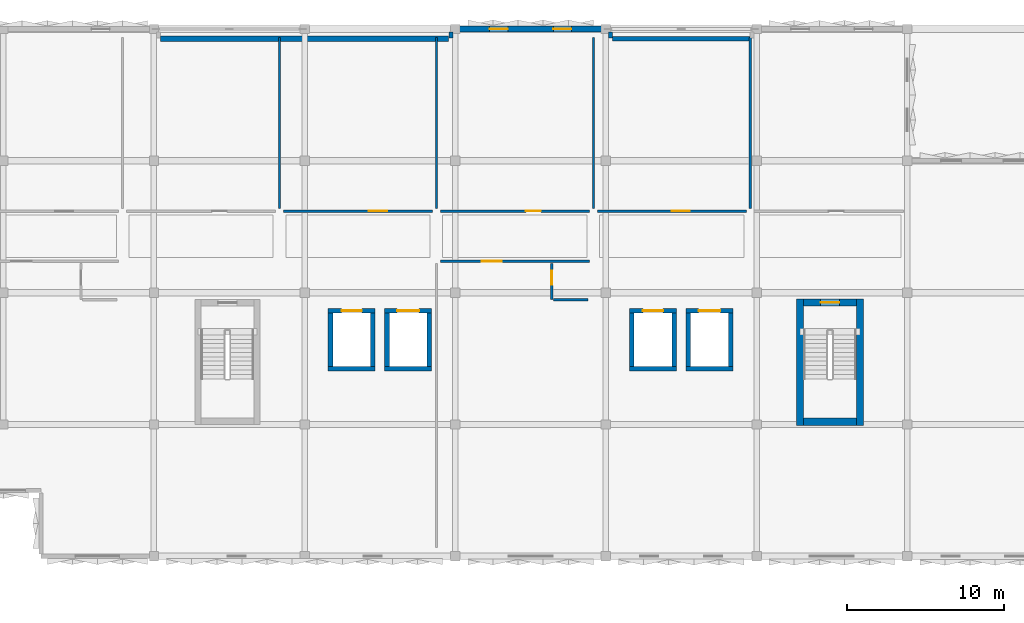
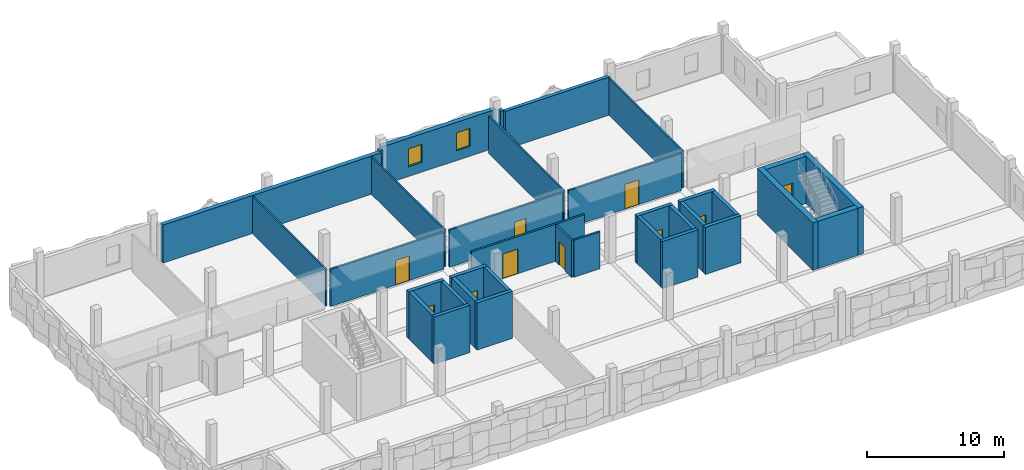
# One storey, part 10 of 18: 35 walls, 10 doors, 2 windows, 12 openings.
"""IFC4 building model written with IfcOpenShell, lengths in metres."""

from ifc_helpers import new_model, si_unit, direction, frame, frame_2d, origin, place, context, subcontext, project, spatial, rectangle, extrude, material, layer, layer_set, type_object, element, fill, save


model = new_model("IFC4")

# Units and contexts
model_context = context("Model", 3, precision=1e-05, world=origin(), true_north=direction((0.0, 1.0)))
body_context = subcontext(model_context, "Body", "Model", "MODEL_VIEW")
ifc_project = project(units=[si_unit("LENGTHUNIT", "METRE"), si_unit("AREAUNIT", "SQUARE_METRE"), si_unit("VOLUMEUNIT", "CUBIC_METRE"), si_unit("PLANEANGLEUNIT", "RADIAN"), si_unit("MASSUNIT", "GRAM", prefix="KILO")], contexts=[model_context])

# Site, building, storey
site_placement = place(None, origin())
site = spatial("IfcSite", under=ifc_project, at=site_placement, CompositionType="ELEMENT")
building_placement = place(site_placement, origin())
building = spatial("IfcBuilding", under=site, at=building_placement, Name="Oolite Switchyard Hospital", CompositionType="ELEMENT")
storey_placement = place(building_placement, frame((0.0, 0.0, 26.199951171875)))
storey = spatial("IfcBuildingStorey", under=building, at=storey_placement, Name="L06", CompositionType="ELEMENT", Elevation=26.199951171875)

# Walls
ifc_material_1 = material(Name="Precast oolitic limestone architectural concrete C40/50", Category="masonry")
ifc_layer_1 = layer(ifc_material_1, 0.260009765625)
ifc_layer_set_1 = layer_set([ifc_layer_1], Name="WAL-EXT-260")
wall_type_1 = type_object("IfcWallType", Name="WAL-EXT-260", PredefinedType="SOLIDWALL", material=ifc_layer_set_1)
for number, where, z_axis, x_axis, name in (
    (1, (172.52001953125, 134.199951171875, 0.0), (0.0, 0.0, 1.0), (0.0, -1.0, 0.0), "L06 Brace Alcove Cheek Wall 362"),
    (2, (182.679931640625, 134.199951171875, 0.0), (0.0, 0.0, 1.0), (0.0, -1.0, 0.0), "L06 Brace Alcove Cheek Wall 365"),
):
    element("IfcWall", number, at=place(storey_placement, frame(where, z_axis=z_axis, x_axis=x_axis)), inside=storey, type_object=wall_type_1, Name=name, PredefinedType="SOLIDWALL", context=body_context, shape_type="SweptSolid", body=[
        extrude(rectangle(XDim=0.35986328125, YDim=0.260009765625, at=frame_2d((0.179931640625, 0.0))), origin(), (0.0, 0.0, 1.0), 3.39013671875),
    ])
ifc_layer_2 = layer(ifc_material_1, 0.300048828125)
ifc_layer_set_2 = layer_set([ifc_layer_2], Name="WAL-EXT-300")
wall_type_2 = type_object("IfcWallType", Name="WAL-EXT-300", PredefinedType="SOLIDWALL", material=ifc_layer_set_2)
wall_1_placement = place(storey_placement, frame((182.820068359375, 133.780029296875, 0.0), z_axis=(0.0, 0.0, 1.0), x_axis=(1.0, 0.0, 0.0)))
element("IfcWall", 3, at=wall_1_placement, inside=storey, type_object=wall_type_2, Name="L06 Exterior Spandrel Wall 367", PredefinedType="SOLIDWALL", context=body_context, shape_type="SweptSolid", body=[
    extrude(rectangle(XDim=8.760009765625, YDim=0.300048828125, at=frame_2d((4.3798828125, 0.0))), origin(), (0.0, 0.0, 1.0), 3.39013671875),
])
ifc_layer_3 = layer(ifc_material_1, 0.360107421875)
ifc_layer_set_3 = layer_set([ifc_layer_3], Name="WAL-EXT-360")
wall_type_3 = type_object("IfcWallType", Name="WAL-EXT-360", PredefinedType="SOLIDWALL", material=ifc_layer_set_3)
wall_2_placement = place(storey_placement, frame((154.02001953125, 133.780029296875, 0.0), z_axis=(0.0, 0.0, 1.0), x_axis=(1.0, 0.0, 0.0)))
element("IfcWall", 4, at=wall_2_placement, inside=storey, type_object=wall_type_3, Name="L06 Exterior Spandrel Wall 363", PredefinedType="SOLIDWALL", context=body_context, shape_type="SweptSolid", body=[
    extrude(rectangle(XDim=18.35986328125, YDim=0.360107421875, at=frame_2d((9.179931640625, 0.0))), origin(), (0.0, 0.0, 1.0), 3.39013671875),
])

# Wall, openings, windows
ifc_layer_4 = layer(ifc_material_1, 0.3798828125)
ifc_layer_set_4 = layer_set([ifc_layer_4], Name="WAL-EXT-380")
wall_type_4 = type_object("IfcWallType", Name="WAL-EXT-380", PredefinedType="SOLIDWALL", material=ifc_layer_set_4)
wall_3_placement = place(storey_placement, frame((172.800048828125, 134.39990234375, 0.0), z_axis=(0.0, 0.0, 1.0), x_axis=(1.0, 0.0, 0.0)))
wall_3 = element("IfcWall", 5, at=wall_3_placement, inside=storey, type_object=wall_type_4, Name="L06 Exterior Spandrel Wall 364", PredefinedType="SOLIDWALL", context=body_context, shape_type="SweptSolid", body=[
    extrude(rectangle(XDim=9.599853515625, YDim=0.3798828125, at=frame_2d((4.7998046875, 0.0))), origin(), (0.0, 0.0, 1.0), 3.39013671875),
])
opening_1_placement = place(wall_3_placement, frame((2.197021484375, 0.0, 0.85009765625)))
opening_1 = element("IfcOpeningElement", 6, at=opening_1_placement, cuts=wall_3, Name="Opening WN-0236", PredefinedType="OPENING", context=body_context, shape_type="SweptSolid", body=[
    extrude(rectangle(XDim=1.14990234375, YDim=1.60009765625, at=frame_2d((0.574951171875, 0.800048828125))), frame((0.0, 0.199951171875, 0.0), z_axis=(0.0, -1.0, 0.0), x_axis=(1.0, 0.0, 0.0)), (0.0, 0.0, 1.0), 0.39990234375),
])
opening_2_placement = place(wall_3_placement, frame((6.2529296875, 0.0, 0.85009765625)))
opening_2 = element("IfcOpeningElement", 7, at=opening_2_placement, cuts=wall_3, Name="Opening WN-0237", PredefinedType="OPENING", context=body_context, shape_type="SweptSolid", body=[
    extrude(rectangle(XDim=1.14990234375, YDim=1.60009765625, at=frame_2d((0.574951171875, 0.800048828125))), frame((0.0, 0.199951171875, 0.0), z_axis=(0.0, -1.0, 0.0), x_axis=(1.0, 0.0, 0.0)), (0.0, 0.0, 1.0), 0.39990234375),
])
ifc_material_2 = material(Name="Thermally broken aluminum frame with laminated impact glazing", Category="aluminium")
window_type = type_object("IfcWindowType", Name="WIN-IMP-115X160", PartitioningType="SINGLE_PANEL", PredefinedType="WINDOW", material=ifc_material_2)
window_1_placement = place(opening_1_placement, origin())
window_1 = element("IfcWindow", 8, at=window_1_placement, inside=storey, type_object=window_type, Name="L06 Hurricane Impact Window WN-0236", OverallHeight=1.60009765625, OverallWidth=1.14990234375, PartitioningType="SINGLE_PANEL", PredefinedType="WINDOW", context=body_context, shape_type="SweptSolid", body=[
    extrude(rectangle(XDim=1.14990234375, YDim=1.60009765625, at=frame_2d((0.574951171875, 0.800048828125))), frame((0.0, 0.030029296875, 0.0), z_axis=(0.0, -1.0, 0.0), x_axis=(1.0, 0.0, 0.0)), (0.0, 0.0, 1.0), 0.06005859375),
])
fill(opening_1, window_1)
window_2_placement = place(opening_2_placement, origin())
window_2 = element("IfcWindow", 9, at=window_2_placement, inside=storey, type_object=window_type, Name="L06 Hurricane Impact Window WN-0237", OverallHeight=1.60009765625, OverallWidth=1.14990234375, PartitioningType="SINGLE_PANEL", PredefinedType="WINDOW", context=body_context, shape_type="SweptSolid", body=[
    extrude(rectangle(XDim=1.14990234375, YDim=1.60009765625, at=frame_2d((0.574951171875, 0.800048828125))), frame((0.0, 0.030029296875, 0.0), z_axis=(0.0, -1.0, 0.0), x_axis=(1.0, 0.0, 0.0)), (0.0, 0.0, 1.0), 0.06005859375),
])
fill(opening_2, window_2)

# Walls
ifc_material_3 = material(Name="Moisture-resistant gypsum board on steel studs", Category="steel")
ifc_layer_5 = layer(ifc_material_3, 0.135009765625)
ifc_layer_set_5 = layer_set([ifc_layer_5], Name="WAL-PART-135")
wall_type_5 = type_object("IfcWallType", Name="WAL-PART-135", PredefinedType="PARTITIONING", material=ifc_layer_set_5)
for number, where, z_axis, x_axis, name in (
    (10, (161.60009765625, 122.949951171875, 0.0), (0.0, 0.0, 1.0), (0.0, 1.0, 0.0), "L06 Interior Partition 882"),
    (11, (171.60009765625, 122.949951171875, 0.0), (0.0, 0.0, 1.0), (0.0, 1.0, 0.0), "L06 Interior Partition 888"),
    (12, (181.60009765625, 122.949951171875, 0.0), (0.0, 0.0, 1.0), (0.0, 1.0, 0.0), "L06 Interior Partition 890"),
    (13, (191.60009765625, 122.949951171875, 0.0), (0.0, 0.0, 1.0), (0.0, 1.0, 0.0), "L06 Interior Partition 892"),
):
    element("IfcWall", number, at=place(storey_placement, frame(where, z_axis=z_axis, x_axis=x_axis)), inside=storey, type_object=wall_type_5, Name=name, PredefinedType="PARTITIONING", context=body_context, shape_type="SweptSolid", body=[
        extrude(rectangle(XDim=10.900146484375, YDim=0.135009765625, at=frame_2d((5.4501953125, 0.0))), origin(), (0.0, 0.0, 1.0), 3.300048828125),
    ])

# Wall, opening, door
ifc_layer_6 = layer(ifc_material_3, 0.14990234375)
ifc_layer_set_6 = layer_set([ifc_layer_6], Name="WAL-PART-150")
wall_type_6 = type_object("IfcWallType", Name="WAL-PART-150", PredefinedType="PARTITIONING", material=ifc_layer_set_6)
wall_4_placement = place(storey_placement, frame((178.949951171875, 117.14990234375, 0.0), z_axis=(0.0, 0.0, 1.0), x_axis=(0.0, 1.0, 0.0)))
wall_4 = element("IfcWall", 14, at=wall_4_placement, inside=storey, type_object=wall_type_6, Name="L06 Interior Partition 884", PredefinedType="PARTITIONING", context=body_context, shape_type="SweptSolid", body=[
    extrude(rectangle(XDim=2.300048828125, YDim=0.14990234375, at=frame_2d((1.14990234375, 0.0))), origin(), (0.0, 0.0, 1.0), 3.300048828125),
])
opening_3_placement = place(wall_4_placement, frame((0.949951171875, 0.0, 0.0)))
opening_3 = element("IfcOpeningElement", 15, at=opening_3_placement, cuts=wall_4, Name="Opening D-0491", PredefinedType="OPENING", context=body_context, shape_type="SweptSolid", body=[
    extrude(rectangle(XDim=0.89990234375, YDim=2.10009765625, at=frame_2d((0.449951171875, 1.050048828125))), frame((0.0, 0.0849609375, 0.0), z_axis=(0.0, -1.0, 0.0), x_axis=(1.0, 0.0, 0.0)), (0.0, 0.0, 1.0), 0.169921875),
])
ifc_material_4 = material(Name="Solid-core antimicrobial hardwood leaf in steel frame", Category="steel")
door_type_1 = type_object("IfcDoorType", Name="DR-BATH-090X210", OperationType="NOTDEFINED", PredefinedType="DOOR", material=ifc_material_4)
door_1_placement = place(opening_3_placement, origin())
door_1 = element("IfcDoor", 16, at=door_1_placement, inside=storey, type_object=door_type_1, Name="L06 Interior Door D-0491", OperationType="SINGLE_SWING_LEFT", OverallHeight=2.10009765625, OverallWidth=0.89990234375, PredefinedType="DOOR", context=body_context, shape_type="SweptSolid", body=[
    extrude(rectangle(XDim=0.89990234375, YDim=2.10009765625, at=frame_2d((0.449951171875, 1.050048828125))), frame((0.0, 0.02490234375, 0.0), z_axis=(0.0, -1.0, 0.0), x_axis=(1.0, 0.0, 0.0)), (0.0, 0.0, 1.0), 0.050048828125),
])
fill(opening_3, door_1)

# Wall
wall_5_placement = place(storey_placement, frame((179.050048828125, 117.14990234375, 0.0), z_axis=(0.0, 0.0, 1.0), x_axis=(1.0, 0.0, 0.0)))
element("IfcWall", 17, at=wall_5_placement, inside=storey, type_object=wall_type_6, Name="L06 Interior Partition 885", PredefinedType="PARTITIONING", context=body_context, shape_type="SweptSolid", body=[
    extrude(rectangle(XDim=2.199951171875, YDim=0.14990234375, at=frame_2d((1.10009765625, 0.0))), origin(), (0.0, 0.0, 1.0), 3.300048828125),
])

# Wall, opening, door
ifc_layer_7 = layer(ifc_material_3, 0.1650390625)
ifc_layer_set_7 = layer_set([ifc_layer_7], Name="WAL-PART-165")
wall_type_7 = type_object("IfcWallType", Name="WAL-PART-165", PredefinedType="PARTITIONING", material=ifc_layer_set_7)
wall_6_placement = place(storey_placement, frame((161.85009765625, 122.800048828125, 0.0), z_axis=(0.0, 0.0, 1.0), x_axis=(1.0, 0.0, 0.0)))
wall_6 = element("IfcWall", 18, at=wall_6_placement, inside=storey, type_object=wall_type_7, Name="L06 Interior Partition 881", PredefinedType="PARTITIONING", context=body_context, shape_type="SweptSolid", body=[
    extrude(rectangle(XDim=9.5, YDim=0.1650390625, at=frame_2d((4.75, 0.0))), origin(), (0.0, 0.0, 1.0), 3.300048828125),
])
opening_4_placement = place(wall_6_placement, frame((5.449951171875, 0.0, 0.0)))
opening_4 = element("IfcOpeningElement", 19, at=opening_4_placement, cuts=wall_6, Name="Opening D-0489", PredefinedType="OPENING", context=body_context, shape_type="SweptSolid", body=[
    extrude(rectangle(XDim=1.14990234375, YDim=2.199951171875, at=frame_2d((0.574951171875, 1.10009765625))), frame((0.0, 0.092529296875, 0.0), z_axis=(0.0, -1.0, 0.0), x_axis=(1.0, 0.0, 0.0)), (0.0, 0.0, 1.0), 0.18505859375),
])
door_type_2 = type_object("IfcDoorType", Name="DR-CLIN-115X220", OperationType="NOTDEFINED", PredefinedType="DOOR", material=ifc_material_4)
door_2_placement = place(opening_4_placement, origin())
door_2 = element("IfcDoor", 20, at=door_2_placement, inside=storey, type_object=door_type_2, Name="L06 Interior Door D-0489", OperationType="SINGLE_SWING_RIGHT", OverallHeight=2.199951171875, OverallWidth=1.14990234375, PredefinedType="DOOR", context=body_context, shape_type="SweptSolid", body=[
    extrude(rectangle(XDim=1.14990234375, YDim=2.199951171875, at=frame_2d((0.574951171875, 1.10009765625))), frame((0.0, 0.02490234375, 0.0), z_axis=(0.0, -1.0, 0.0), x_axis=(1.0, 0.0, 0.0)), (0.0, 0.0, 1.0), 0.050048828125),
])
fill(opening_4, door_2)

wall_7_placement = place(storey_placement, frame((171.85009765625, 119.60009765625, 0.0), z_axis=(0.0, 0.0, 1.0), x_axis=(1.0, 0.0, 0.0)))
wall_7 = element("IfcWall", 21, at=wall_7_placement, inside=storey, type_object=wall_type_7, Name="L06 Interior Partition 883", PredefinedType="PARTITIONING", context=body_context, shape_type="SweptSolid", body=[
    extrude(rectangle(XDim=9.5, YDim=0.1650390625, at=frame_2d((4.75, 0.0))), origin(), (0.0, 0.0, 1.0), 3.300048828125),
])
opening_5_placement = place(wall_7_placement, frame((2.64990234375, 0.0, 0.0)))
opening_5 = element("IfcOpeningElement", 22, at=opening_5_placement, cuts=wall_7, Name="Opening D-0490", PredefinedType="OPENING", context=body_context, shape_type="SweptSolid", body=[
    extrude(rectangle(XDim=1.25, YDim=2.199951171875, at=frame_2d((0.625, 1.10009765625))), frame((0.0, 0.092529296875, 0.0), z_axis=(0.0, -1.0, 0.0), x_axis=(1.0, 0.0, 0.0)), (0.0, 0.0, 1.0), 0.18505859375),
])
door_type_3 = type_object("IfcDoorType", Name="DR-WARD-125X220", OperationType="NOTDEFINED", PredefinedType="DOOR", material=ifc_material_4)
door_3_placement = place(opening_5_placement, origin())
door_3 = element("IfcDoor", 23, at=door_3_placement, inside=storey, type_object=door_type_3, Name="L06 Interior Door D-0490", OperationType="SINGLE_SWING_RIGHT", OverallHeight=2.199951171875, OverallWidth=1.25, PredefinedType="DOOR", context=body_context, shape_type="SweptSolid", body=[
    extrude(rectangle(XDim=1.25, YDim=2.199951171875, at=frame_2d((0.625, 1.10009765625))), frame((0.0, 0.02490234375, 0.0), z_axis=(0.0, -1.0, 0.0), x_axis=(1.0, 0.0, 0.0)), (0.0, 0.0, 1.0), 0.050048828125),
])
fill(opening_5, door_3)

wall_8_placement = place(storey_placement, frame((171.85009765625, 122.800048828125, 0.0), z_axis=(0.0, 0.0, 1.0), x_axis=(1.0, 0.0, 0.0)))
wall_8 = element("IfcWall", 24, at=wall_8_placement, inside=storey, type_object=wall_type_7, Name="L06 Interior Partition 887", PredefinedType="PARTITIONING", context=body_context, shape_type="SweptSolid", body=[
    extrude(rectangle(XDim=9.5, YDim=0.1650390625, at=frame_2d((4.75, 0.0))), origin(), (0.0, 0.0, 1.0), 3.300048828125),
])
opening_6_placement = place(wall_8_placement, frame((5.449951171875, 0.0, 0.0)))
opening_6 = element("IfcOpeningElement", 25, at=opening_6_placement, cuts=wall_8, Name="Opening D-0492", PredefinedType="OPENING", context=body_context, shape_type="SweptSolid", body=[
    extrude(rectangle(XDim=0.949951171875, YDim=2.10009765625, at=frame_2d((0.47509765625, 1.050048828125))), frame((0.0, 0.092529296875, 0.0), z_axis=(0.0, -1.0, 0.0), x_axis=(1.0, 0.0, 0.0)), (0.0, 0.0, 1.0), 0.18505859375),
])
door_type_4 = type_object("IfcDoorType", Name="DR-BATH-095X210", OperationType="NOTDEFINED", PredefinedType="DOOR", material=ifc_material_4)
door_4_placement = place(opening_6_placement, origin())
door_4 = element("IfcDoor", 26, at=door_4_placement, inside=storey, type_object=door_type_4, Name="L06 Interior Door D-0492", OperationType="SINGLE_SWING_LEFT", OverallHeight=2.10009765625, OverallWidth=0.949951171875, PredefinedType="DOOR", context=body_context, shape_type="SweptSolid", body=[
    extrude(rectangle(XDim=0.949951171875, YDim=2.10009765625, at=frame_2d((0.47509765625, 1.050048828125))), frame((0.0, 0.02490234375, 0.0), z_axis=(0.0, -1.0, 0.0), x_axis=(1.0, 0.0, 0.0)), (0.0, 0.0, 1.0), 0.050048828125),
])
fill(opening_6, door_4)

wall_9_placement = place(storey_placement, frame((181.85009765625, 122.800048828125, 0.0), z_axis=(0.0, 0.0, 1.0), x_axis=(1.0, 0.0, 0.0)))
wall_9 = element("IfcWall", 27, at=wall_9_placement, inside=storey, type_object=wall_type_7, Name="L06 Interior Partition 889", PredefinedType="PARTITIONING", context=body_context, shape_type="SweptSolid", body=[
    extrude(rectangle(XDim=9.5, YDim=0.1650390625, at=frame_2d((4.75, 0.0))), origin(), (0.0, 0.0, 1.0), 3.300048828125),
])
opening_7_placement = place(wall_9_placement, frame((4.75, 0.0, 0.0)))
opening_7 = element("IfcOpeningElement", 28, at=opening_7_placement, cuts=wall_9, Name="Opening D-0493", PredefinedType="OPENING", context=body_context, shape_type="SweptSolid", body=[
    extrude(rectangle(XDim=1.14990234375, YDim=2.199951171875, at=frame_2d((0.574951171875, 1.10009765625))), frame((0.0, 0.092529296875, 0.0), z_axis=(0.0, -1.0, 0.0), x_axis=(1.0, 0.0, 0.0)), (0.0, 0.0, 1.0), 0.18505859375),
])
door_5_placement = place(opening_7_placement, origin())
door_5 = element("IfcDoor", 29, at=door_5_placement, inside=storey, type_object=door_type_2, Name="L06 Interior Door D-0493", OperationType="SINGLE_SWING_RIGHT", OverallHeight=2.199951171875, OverallWidth=1.14990234375, PredefinedType="DOOR", context=body_context, shape_type="SweptSolid", body=[
    extrude(rectangle(XDim=1.14990234375, YDim=2.199951171875, at=frame_2d((0.574951171875, 1.10009765625))), frame((0.0, 0.02490234375, 0.0), z_axis=(0.0, -1.0, 0.0), x_axis=(1.0, 0.0, 0.0)), (0.0, 0.0, 1.0), 0.050048828125),
])
fill(opening_7, door_5)

# Walls
ifc_material_5 = material(Name="Concrete C50/60", Category="concrete")
ifc_layer_8 = layer(ifc_material_5, 0.300048828125)
ifc_layer_set_8 = layer_set([ifc_layer_8], Name="WAL-SHR-300")
wall_type_8 = type_object("IfcWallType", Name="WAL-SHR-300", PredefinedType="SHEAR", material=ifc_layer_set_8)
wall_10_placement = place(storey_placement, frame((164.699951171875, 112.75, 0.0), z_axis=(0.0, 0.0, 1.0), x_axis=(1.0, 0.0, 0.0)))
element("IfcWall", 30, at=wall_10_placement, inside=storey, type_object=wall_type_8, Name="L06 Lift Shaft Shear Wall EL-01", PredefinedType="SHEAR", context=body_context, shape_type="SweptSolid", body=[
    extrude(rectangle(XDim=3.0, YDim=0.300048828125, at=frame_2d((1.5, 0.0))), origin(), (0.0, 0.0, 1.0), 4.199951171875),
])
wall_11_placement = place(storey_placement, frame((167.550048828125, 112.89990234375, 0.0), z_axis=(0.0, 0.0, 1.0), x_axis=(0.0, 1.0, 0.0)))
element("IfcWall", 31, at=wall_11_placement, inside=storey, type_object=wall_type_8, Name="L06 Lift Shaft Shear Wall EL-01", PredefinedType="SHEAR", context=body_context, shape_type="SweptSolid", body=[
    extrude(rectangle(XDim=3.400146484375, YDim=0.300048828125, at=frame_2d((1.7001953125, 0.0))), origin(), (0.0, 0.0, 1.0), 4.199951171875),
])

# Wall, opening, door
wall_12_placement = place(storey_placement, frame((167.699951171875, 116.449951171875, 0.0), z_axis=(0.0, 0.0, 1.0), x_axis=(-1.0, 0.0, 0.0)))
wall_12 = element("IfcWall", 32, at=wall_12_placement, inside=storey, type_object=wall_type_8, Name="L06 Lift Shaft Shear Wall EL-01", PredefinedType="SHEAR", context=body_context, shape_type="SweptSolid", body=[
    extrude(rectangle(XDim=3.0, YDim=0.300048828125, at=frame_2d((1.5, 0.0))), origin(), (0.0, 0.0, 1.0), 4.199951171875),
])
opening_8_placement = place(wall_12_placement, frame((0.85009765625, 0.0, 0.0)))
opening_8 = element("IfcOpeningElement", 33, at=opening_8_placement, cuts=wall_12, Name="Opening LD-007", PredefinedType="OPENING", context=body_context, shape_type="SweptSolid", body=[
    extrude(rectangle(XDim=1.300048828125, YDim=2.300048828125, at=frame_2d((0.64990234375, 1.14990234375))), frame((0.0, 0.16015625, 0.0), z_axis=(0.0, -1.0, 0.0), x_axis=(1.0, 0.0, 0.0)), (0.0, 0.0, 1.0), 0.320068359375),
])
ifc_material_6 = material(Name="Brushed stainless steel fire-rated sliding landing door", Category="steel")
door_type_5 = type_object("IfcDoorType", Name="DR-LD-130X230", OperationType="NOTDEFINED", PredefinedType="DOOR", material=ifc_material_6)
door_6_placement = place(opening_8_placement, origin())
door_6 = element("IfcDoor", 34, at=door_6_placement, inside=storey, type_object=door_type_5, Name="L06 EL-01 Lift Landing Door LD-007", OperationType="SLIDING_TO_LEFT", OverallHeight=2.300048828125, OverallWidth=1.300048828125, PredefinedType="DOOR", context=body_context, shape_type="SweptSolid", body=[
    extrude(rectangle(XDim=1.300048828125, YDim=2.300048828125, at=frame_2d((0.64990234375, 1.14990234375))), frame((0.0, 0.02490234375, 0.0), z_axis=(0.0, -1.0, 0.0), x_axis=(1.0, 0.0, 0.0)), (0.0, 0.0, 1.0), 0.050048828125),
])
fill(opening_8, door_6)

# Walls
wall_13_placement = place(storey_placement, frame((164.85009765625, 116.300048828125, 0.0), z_axis=(0.0, 0.0, 1.0), x_axis=(0.0, -1.0, 0.0)))
element("IfcWall", 35, at=wall_13_placement, inside=storey, type_object=wall_type_8, Name="L06 Lift Shaft Shear Wall EL-01", PredefinedType="SHEAR", context=body_context, shape_type="SweptSolid", body=[
    extrude(rectangle(XDim=3.400146484375, YDim=0.300048828125, at=frame_2d((1.7001953125, 0.0))), origin(), (0.0, 0.0, 1.0), 4.199951171875),
])
wall_14_placement = place(storey_placement, frame((168.300048828125, 112.75, 0.0), z_axis=(0.0, 0.0, 1.0), x_axis=(1.0, 0.0, 0.0)))
element("IfcWall", 36, at=wall_14_placement, inside=storey, type_object=wall_type_8, Name="L06 Lift Shaft Shear Wall EL-02", PredefinedType="SHEAR", context=body_context, shape_type="SweptSolid", body=[
    extrude(rectangle(XDim=3.0, YDim=0.300048828125, at=frame_2d((1.5, 0.0))), origin(), (0.0, 0.0, 1.0), 4.199951171875),
])
wall_15_placement = place(storey_placement, frame((171.14990234375, 112.89990234375, 0.0), z_axis=(0.0, 0.0, 1.0), x_axis=(0.0, 1.0, 0.0)))
element("IfcWall", 37, at=wall_15_placement, inside=storey, type_object=wall_type_8, Name="L06 Lift Shaft Shear Wall EL-02", PredefinedType="SHEAR", context=body_context, shape_type="SweptSolid", body=[
    extrude(rectangle(XDim=3.400146484375, YDim=0.300048828125, at=frame_2d((1.7001953125, 0.0))), origin(), (0.0, 0.0, 1.0), 4.199951171875),
])

# Wall, opening, door
wall_16_placement = place(storey_placement, frame((171.300048828125, 116.449951171875, 0.0), z_axis=(0.0, 0.0, 1.0), x_axis=(-1.0, 0.0, 0.0)))
wall_16 = element("IfcWall", 38, at=wall_16_placement, inside=storey, type_object=wall_type_8, Name="L06 Lift Shaft Shear Wall EL-02", PredefinedType="SHEAR", context=body_context, shape_type="SweptSolid", body=[
    extrude(rectangle(XDim=3.0, YDim=0.300048828125, at=frame_2d((1.5, 0.0))), origin(), (0.0, 0.0, 1.0), 4.199951171875),
])
opening_9_placement = place(wall_16_placement, frame((0.800048828125, 0.0, 0.0)))
opening_9 = element("IfcOpeningElement", 39, at=opening_9_placement, cuts=wall_16, Name="Opening LD-016", PredefinedType="OPENING", context=body_context, shape_type="SweptSolid", body=[
    extrude(rectangle(XDim=1.39990234375, YDim=2.300048828125, at=frame_2d((0.699951171875, 1.14990234375))), frame((0.0, 0.16015625, 0.0), z_axis=(0.0, -1.0, 0.0), x_axis=(1.0, 0.0, 0.0)), (0.0, 0.0, 1.0), 0.320068359375),
])
door_type_6 = type_object("IfcDoorType", Name="DR-LD-140X230", OperationType="NOTDEFINED", PredefinedType="DOOR", material=ifc_material_6)
door_7_placement = place(opening_9_placement, origin())
door_7 = element("IfcDoor", 40, at=door_7_placement, inside=storey, type_object=door_type_6, Name="L06 EL-02 Lift Landing Door LD-016", OperationType="SLIDING_TO_RIGHT", OverallHeight=2.300048828125, OverallWidth=1.39990234375, PredefinedType="DOOR", context=body_context, shape_type="SweptSolid", body=[
    extrude(rectangle(XDim=1.39990234375, YDim=2.300048828125, at=frame_2d((0.699951171875, 1.14990234375))), frame((0.0, 0.02490234375, 0.0), z_axis=(0.0, -1.0, 0.0), x_axis=(1.0, 0.0, 0.0)), (0.0, 0.0, 1.0), 0.050048828125),
])
fill(opening_9, door_7)

# Walls
wall_17_placement = place(storey_placement, frame((168.449951171875, 116.300048828125, 0.0), z_axis=(0.0, 0.0, 1.0), x_axis=(0.0, -1.0, 0.0)))
element("IfcWall", 41, at=wall_17_placement, inside=storey, type_object=wall_type_8, Name="L06 Lift Shaft Shear Wall EL-02", PredefinedType="SHEAR", context=body_context, shape_type="SweptSolid", body=[
    extrude(rectangle(XDim=3.400146484375, YDim=0.300048828125, at=frame_2d((1.7001953125, 0.0))), origin(), (0.0, 0.0, 1.0), 4.199951171875),
])
wall_18_placement = place(storey_placement, frame((183.89990234375, 112.75, 0.0), z_axis=(0.0, 0.0, 1.0), x_axis=(1.0, 0.0, 0.0)))
element("IfcWall", 42, at=wall_18_placement, inside=storey, type_object=wall_type_8, Name="L06 Lift Shaft Shear Wall EL-03", PredefinedType="SHEAR", context=body_context, shape_type="SweptSolid", body=[
    extrude(rectangle(XDim=3.0, YDim=0.300048828125, at=frame_2d((1.5, 0.0))), origin(), (0.0, 0.0, 1.0), 4.199951171875),
])
wall_19_placement = place(storey_placement, frame((186.75, 112.89990234375, 0.0), z_axis=(0.0, 0.0, 1.0), x_axis=(0.0, 1.0, 0.0)))
element("IfcWall", 43, at=wall_19_placement, inside=storey, type_object=wall_type_8, Name="L06 Lift Shaft Shear Wall EL-03", PredefinedType="SHEAR", context=body_context, shape_type="SweptSolid", body=[
    extrude(rectangle(XDim=3.400146484375, YDim=0.300048828125, at=frame_2d((1.7001953125, 0.0))), origin(), (0.0, 0.0, 1.0), 4.199951171875),
])

# Wall, opening, door
wall_20_placement = place(storey_placement, frame((186.89990234375, 116.449951171875, 0.0), z_axis=(0.0, 0.0, 1.0), x_axis=(-1.0, 0.0, 0.0)))
wall_20 = element("IfcWall", 44, at=wall_20_placement, inside=storey, type_object=wall_type_8, Name="L06 Lift Shaft Shear Wall EL-03", PredefinedType="SHEAR", context=body_context, shape_type="SweptSolid", body=[
    extrude(rectangle(XDim=3.0, YDim=0.300048828125, at=frame_2d((1.5, 0.0))), origin(), (0.0, 0.0, 1.0), 4.199951171875),
])
opening_10_placement = place(wall_20_placement, frame((0.85009765625, 0.0, 0.0)))
opening_10 = element("IfcOpeningElement", 45, at=opening_10_placement, cuts=wall_20, Name="Opening LD-025", PredefinedType="OPENING", context=body_context, shape_type="SweptSolid", body=[
    extrude(rectangle(XDim=1.300048828125, YDim=2.300048828125, at=frame_2d((0.64990234375, 1.14990234375))), frame((0.0, 0.16015625, 0.0), z_axis=(0.0, -1.0, 0.0), x_axis=(1.0, 0.0, 0.0)), (0.0, 0.0, 1.0), 0.320068359375),
])
door_8_placement = place(opening_10_placement, origin())
door_8 = element("IfcDoor", 46, at=door_8_placement, inside=storey, type_object=door_type_5, Name="L06 EL-03 Lift Landing Door LD-025", OperationType="SLIDING_TO_LEFT", OverallHeight=2.300048828125, OverallWidth=1.300048828125, PredefinedType="DOOR", context=body_context, shape_type="SweptSolid", body=[
    extrude(rectangle(XDim=1.300048828125, YDim=2.300048828125, at=frame_2d((0.64990234375, 1.14990234375))), frame((0.0, 0.02490234375, 0.0), z_axis=(0.0, -1.0, 0.0), x_axis=(1.0, 0.0, 0.0)), (0.0, 0.0, 1.0), 0.050048828125),
])
fill(opening_10, door_8)

# Walls
wall_21_placement = place(storey_placement, frame((184.050048828125, 116.300048828125, 0.0), z_axis=(0.0, 0.0, 1.0), x_axis=(0.0, -1.0, 0.0)))
element("IfcWall", 47, at=wall_21_placement, inside=storey, type_object=wall_type_8, Name="L06 Lift Shaft Shear Wall EL-03", PredefinedType="SHEAR", context=body_context, shape_type="SweptSolid", body=[
    extrude(rectangle(XDim=3.400146484375, YDim=0.300048828125, at=frame_2d((1.7001953125, 0.0))), origin(), (0.0, 0.0, 1.0), 4.199951171875),
])
wall_22_placement = place(storey_placement, frame((187.5, 112.75, 0.0), z_axis=(0.0, 0.0, 1.0), x_axis=(1.0, 0.0, 0.0)))
element("IfcWall", 48, at=wall_22_placement, inside=storey, type_object=wall_type_8, Name="L06 Lift Shaft Shear Wall EL-04", PredefinedType="SHEAR", context=body_context, shape_type="SweptSolid", body=[
    extrude(rectangle(XDim=3.0, YDim=0.300048828125, at=frame_2d((1.5, 0.0))), origin(), (0.0, 0.0, 1.0), 4.199951171875),
])
wall_23_placement = place(storey_placement, frame((190.35009765625, 112.89990234375, 0.0), z_axis=(0.0, 0.0, 1.0), x_axis=(0.0, 1.0, 0.0)))
element("IfcWall", 49, at=wall_23_placement, inside=storey, type_object=wall_type_8, Name="L06 Lift Shaft Shear Wall EL-04", PredefinedType="SHEAR", context=body_context, shape_type="SweptSolid", body=[
    extrude(rectangle(XDim=3.400146484375, YDim=0.300048828125, at=frame_2d((1.7001953125, 0.0))), origin(), (0.0, 0.0, 1.0), 4.199951171875),
])

# Wall, opening, door
wall_24_placement = place(storey_placement, frame((190.5, 116.449951171875, 0.0), z_axis=(0.0, 0.0, 1.0), x_axis=(-1.0, 0.0, 0.0)))
wall_24 = element("IfcWall", 50, at=wall_24_placement, inside=storey, type_object=wall_type_8, Name="L06 Lift Shaft Shear Wall EL-04", PredefinedType="SHEAR", context=body_context, shape_type="SweptSolid", body=[
    extrude(rectangle(XDim=3.0, YDim=0.300048828125, at=frame_2d((1.5, 0.0))), origin(), (0.0, 0.0, 1.0), 4.199951171875),
])
opening_11_placement = place(wall_24_placement, frame((0.800048828125, 0.0, 0.0)))
opening_11 = element("IfcOpeningElement", 51, at=opening_11_placement, cuts=wall_24, Name="Opening LD-033", PredefinedType="OPENING", context=body_context, shape_type="SweptSolid", body=[
    extrude(rectangle(XDim=1.39990234375, YDim=2.300048828125, at=frame_2d((0.699951171875, 1.14990234375))), frame((0.0, 0.16015625, 0.0), z_axis=(0.0, -1.0, 0.0), x_axis=(1.0, 0.0, 0.0)), (0.0, 0.0, 1.0), 0.320068359375),
])
door_9_placement = place(opening_11_placement, origin())
door_9 = element("IfcDoor", 52, at=door_9_placement, inside=storey, type_object=door_type_6, Name="L06 EL-04 Lift Landing Door LD-033", OperationType="SLIDING_TO_LEFT", OverallHeight=2.300048828125, OverallWidth=1.39990234375, PredefinedType="DOOR", context=body_context, shape_type="SweptSolid", body=[
    extrude(rectangle(XDim=1.39990234375, YDim=2.300048828125, at=frame_2d((0.699951171875, 1.14990234375))), frame((0.0, 0.02490234375, 0.0), z_axis=(0.0, -1.0, 0.0), x_axis=(1.0, 0.0, 0.0)), (0.0, 0.0, 1.0), 0.050048828125),
])
fill(opening_11, door_9)

# Walls
wall_25_placement = place(storey_placement, frame((187.64990234375, 116.300048828125, 0.0), z_axis=(0.0, 0.0, 1.0), x_axis=(0.0, -1.0, 0.0)))
element("IfcWall", 53, at=wall_25_placement, inside=storey, type_object=wall_type_8, Name="L06 Lift Shaft Shear Wall EL-04", PredefinedType="SHEAR", context=body_context, shape_type="SweptSolid", body=[
    extrude(rectangle(XDim=3.400146484375, YDim=0.300048828125, at=frame_2d((1.7001953125, 0.0))), origin(), (0.0, 0.0, 1.0), 4.199951171875),
])
ifc_layer_9 = layer(ifc_material_5, 0.449951171875)
ifc_layer_set_9 = layer_set([ifc_layer_9], Name="WAL-SHR-450")
wall_type_9 = type_object("IfcWallType", Name="WAL-SHR-450", PredefinedType="SHEAR", material=ifc_layer_set_9)
wall_26_placement = place(storey_placement, frame((194.77490234375, 117.199951171875, 0.0), z_axis=(0.0, 0.0, 1.0), x_axis=(0.0, -1.0, 0.0)))
element("IfcWall", 54, at=wall_26_placement, inside=storey, type_object=wall_type_9, Name="L06 Core Shear Wall ST-04", PredefinedType="SHEAR", context=body_context, shape_type="SweptSolid", body=[
    extrude(rectangle(XDim=8.050048828125, YDim=0.449951171875, at=frame_2d((4.02490234375, 0.0))), origin(), (0.0, 0.0, 1.0), 4.199951171875),
])
wall_27_placement = place(storey_placement, frame((195.0, 109.375, 0.0), z_axis=(0.0, 0.0, 1.0), x_axis=(1.0, 0.0, 0.0)))
element("IfcWall", 55, at=wall_27_placement, inside=storey, type_object=wall_type_9, Name="L06 Core Shear Wall ST-04", PredefinedType="SHEAR", context=body_context, shape_type="SweptSolid", body=[
    extrude(rectangle(XDim=3.360107421875, YDim=0.449951171875, at=frame_2d((1.68017578125, 0.0))), origin(), (0.0, 0.0, 1.0), 4.199951171875),
])
wall_28_placement = place(storey_placement, frame((198.5849609375, 109.14990234375, 0.0), z_axis=(0.0, 0.0, 1.0), x_axis=(0.0, 1.0, 0.0)))
element("IfcWall", 56, at=wall_28_placement, inside=storey, type_object=wall_type_9, Name="L06 Core Shear Wall ST-04", PredefinedType="SHEAR", context=body_context, shape_type="SweptSolid", body=[
    extrude(rectangle(XDim=8.050048828125, YDim=0.449951171875, at=frame_2d((4.02490234375, 0.0))), origin(), (0.0, 0.0, 1.0), 4.199951171875),
])

# Wall, opening, door
wall_29_placement = place(storey_placement, frame((198.360107421875, 116.97509765625, 0.0), z_axis=(0.0, 0.0, 1.0), x_axis=(-1.0, 0.0, 0.0)))
wall_29 = element("IfcWall", 57, at=wall_29_placement, inside=storey, type_object=wall_type_9, Name="L06 Core Shear Wall ST-04", PredefinedType="SHEAR", context=body_context, shape_type="SweptSolid", body=[
    extrude(rectangle(XDim=3.360107421875, YDim=0.449951171875, at=frame_2d((1.68017578125, 0.0))), origin(), (0.0, 0.0, 1.0), 4.199951171875),
])
opening_12_placement = place(wall_29_placement, frame((1.080078125, 0.0, 0.0)))
opening_12 = element("IfcOpeningElement", 58, at=opening_12_placement, cuts=wall_29, Name="Opening SD-030", PredefinedType="OPENING", context=body_context, shape_type="SweptSolid", body=[
    extrude(rectangle(XDim=1.199951171875, YDim=2.199951171875, at=frame_2d((0.60009765625, 1.10009765625))), frame((0.0, 0.23486328125, 0.0), z_axis=(0.0, -1.0, 0.0), x_axis=(1.0, 0.0, 0.0)), (0.0, 0.0, 1.0), 0.469970703125),
])
ifc_material_7 = material(Name="Hollow metal fire-rated steel door assembly", Category="steel")
door_type_7 = type_object("IfcDoorType", Name="DR-STR-120X220", OperationType="NOTDEFINED", PredefinedType="DOOR", material=ifc_material_7)
door_10_placement = place(opening_12_placement, origin())
door_10 = element("IfcDoor", 59, at=door_10_placement, inside=storey, type_object=door_type_7, Name="L06 ST-04 Exit Stair Door SD-030", OperationType="SINGLE_SWING_RIGHT", OverallHeight=2.199951171875, OverallWidth=1.199951171875, PredefinedType="DOOR", context=body_context, shape_type="SweptSolid", body=[
    extrude(rectangle(XDim=1.199951171875, YDim=2.199951171875, at=frame_2d((0.60009765625, 1.10009765625))), frame((0.0, 0.02490234375, 0.0), z_axis=(0.0, -1.0, 0.0), x_axis=(1.0, 0.0, 0.0)), (0.0, 0.0, 1.0), 0.050048828125),
])
fill(opening_12, door_10)

save(model, "model.ifc")
